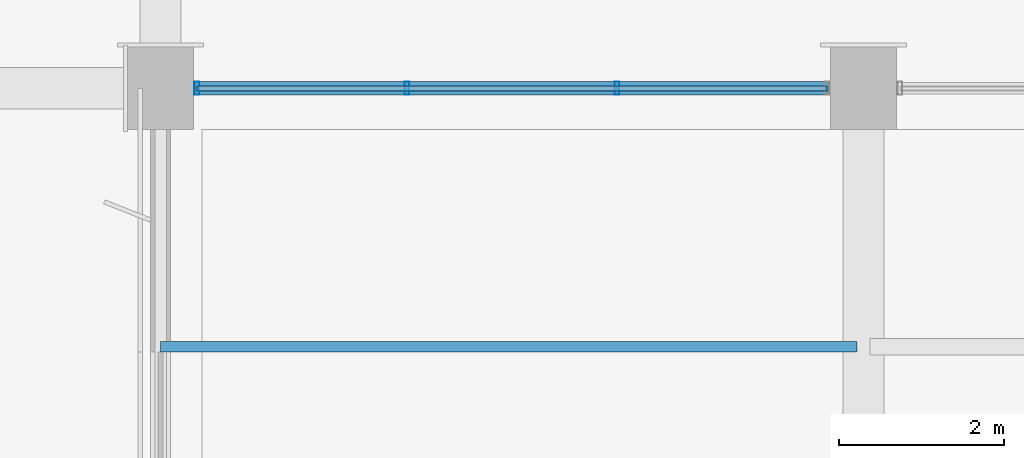
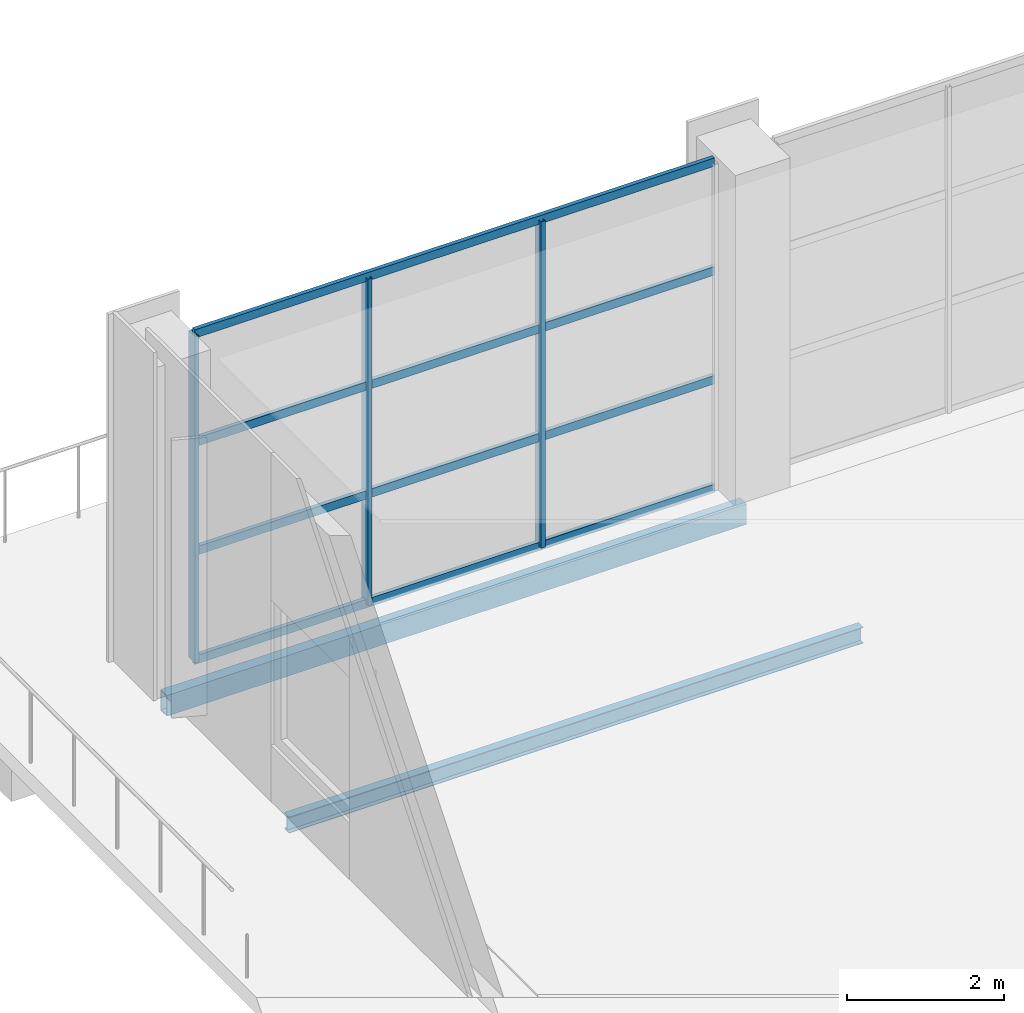
# One storey, part 23 of 90: 7 members, 2 beams, 1 element without a shape of its own.
"""IFC4 building model written with IfcOpenShell, lengths in metres."""

from ifc_helpers import new_model, si_unit, direction, frame, origin, origin_2d, place, context, subcontext, project, spatial, hollow_rectangle, i_section, extrude, material, material_profile, profile_set, type_object, element, aggregate, save


model = new_model("IFC4")

# Units and contexts
model_context = context("Model", 3, precision=1e-05, world=origin(), true_north=direction((0.0, 1.0)))
body_context = subcontext(model_context, "Body", "Model", "MODEL_VIEW")
ifc_project = project(units=[si_unit("LENGTHUNIT", "METRE"), si_unit("AREAUNIT", "SQUARE_METRE"), si_unit("VOLUMEUNIT", "CUBIC_METRE"), si_unit("PLANEANGLEUNIT", "RADIAN"), si_unit("MASSUNIT", "GRAM", prefix="KILO")], contexts=[model_context])

# Site, building, storey
site_placement = place(None, origin())
site = spatial("IfcSite", under=ifc_project, at=site_placement, CompositionType="ELEMENT")
building_placement = place(site_placement, origin())
building = spatial("IfcBuilding", under=site, at=building_placement, Name="Solvikara Media Centre", CompositionType="ELEMENT")
storey_placement = place(building_placement, origin())
storey = spatial("IfcBuildingStorey", under=building, at=storey_placement, Name="L00", CompositionType="ELEMENT", Elevation=0.0)

# Beams
ifc_material_1 = material(Name="Steel S355JR", Category="steel")
ifc_material_profile_1 = material_profile(ifc_material_1, i_section(OverallWidth=0.125, OverallDepth=0.25, WebThickness=0.006103515625, FlangeThickness=0.009033203125, at=origin_2d()), Name="WF 250x125x6x9")
ifc_profile_set_1 = profile_set([ifc_material_profile_1], Name="Steel S355JR")
beam_type_1 = type_object("IfcBeamType", Name="BM-24", PredefinedType="JOIST", material=ifc_profile_set_1)
beam_1_placement = place(storey_placement, frame((0.0, 110.875, -0.467041015625), z_axis=(1.0, 0.0, 0.0), x_axis=(0.0, 1.0, 0.0)))
element("IfcBeam", 1, at=beam_1_placement, inside=storey, type_object=beam_type_1, Name="J-L00-0260", PredefinedType="JOIST", context=body_context, shape_type="SweptSolid", body=[
    extrude(i_section(OverallWidth=0.125, OverallDepth=0.25, WebThickness=0.006103515625, FlangeThickness=0.009033203125, at=origin_2d()), origin(), (0.0, 0.0, 1.0), 8.422119140625),
])
ifc_material_profile_2 = material_profile(ifc_material_1, hollow_rectangle(XDim=0.159912109375, YDim=0.320068359375, WallThickness=0.010009765625, at=origin_2d()), Name="RHS 320x160x10")
ifc_profile_set_2 = profile_set([ifc_material_profile_2], Name="Steel S355JR")
beam_type_2 = type_object("IfcBeamType", Name="BM-45", PredefinedType="SPANDREL", material=ifc_profile_set_2)
beam_2_placement = place(storey_placement, frame((0.0, 114.0, -0.501953125), z_axis=(1.0, 0.0, 0.0), x_axis=(0.0, 1.0, 0.0)))
element("IfcBeam", 2, at=beam_2_placement, inside=storey, type_object=beam_type_2, Name="B-L00-X0103", PredefinedType="SPANDREL", context=body_context, shape_type="SweptSolid", body=[
    extrude(hollow_rectangle(XDim=0.159912109375, YDim=0.320068359375, WallThickness=0.010009765625, at=origin_2d()), origin(), (0.0, 0.0, 1.0), 8.5),
])

# Curtain wall, members
ifc_material_2 = material(Name="Anodised aluminium EN AW-6063", Category="aluminium")
curtain_wall_type = type_object("IfcCurtainWallType", Name="CW-06", PredefinedType="NOTDEFINED", material=ifc_material_2)
curtain_wall_placement = place(storey_placement, origin())
curtain_wall = element("IfcCurtainWall", 3, at=curtain_wall_placement, inside=storey, type_object=curtain_wall_type, Name="CW-L00-V3N-1-S1", PredefinedType="NOTDEFINED")
ifc_material_profile_3 = material_profile(ifc_material_2, hollow_rectangle(XDim=0.06005859375, YDim=0.159912109375, WallThickness=0.00341796875, at=origin_2d()), Name="ALU-M 60x160x3.5")
ifc_profile_set_3 = profile_set([ifc_material_profile_3], Name="Anodised aluminium EN AW-6063")
member_type_1 = type_object("IfcMemberType", Name="MF-04", PredefinedType="MULLION", material=ifc_profile_set_3)
member_1_placement = place(storey_placement, frame((0.43994140625, 114.0, 0.02001953125), z_axis=(0.0, 0.0, 1.0), x_axis=(1.0, 0.0, 0.0)))
member_1 = element("IfcMember", 4, at=member_1_placement, type_object=member_type_1, Name="CW-L00-V3N-1-S1-M00", PredefinedType="MULLION", context=body_context, shape_type="SweptSolid", body=[
    extrude(hollow_rectangle(XDim=0.06005859375, YDim=0.159912109375, WallThickness=0.00341796875, at=origin_2d()), origin(), (0.0, 0.0, 1.0), 5.06005859375),
])
member_2_placement = place(storey_placement, frame((2.97998046875, 114.0, 0.02001953125), z_axis=(0.0, 0.0, 1.0), x_axis=(1.0, 0.0, 0.0)))
member_2 = element("IfcMember", 5, at=member_2_placement, type_object=member_type_1, Name="CW-L00-V3N-1-S1-M01", PredefinedType="MULLION", context=body_context, shape_type="SweptSolid", body=[
    extrude(hollow_rectangle(XDim=0.06005859375, YDim=0.159912109375, WallThickness=0.00341796875, at=origin_2d()), origin(), (0.0, 0.0, 1.0), 5.06005859375),
])
member_3_placement = place(storey_placement, frame((5.52001953125, 114.0, 0.02001953125), z_axis=(0.0, 0.0, 1.0), x_axis=(1.0, 0.0, 0.0)))
member_3 = element("IfcMember", 6, at=member_3_placement, type_object=member_type_1, Name="CW-L00-V3N-1-S1-M02", PredefinedType="MULLION", context=body_context, shape_type="SweptSolid", body=[
    extrude(hollow_rectangle(XDim=0.06005859375, YDim=0.159912109375, WallThickness=0.00341796875, at=origin_2d()), origin(), (0.0, 0.0, 1.0), 5.06005859375),
])
ifc_material_profile_4 = material_profile(ifc_material_2, hollow_rectangle(XDim=0.06005859375, YDim=0.1298828125, WallThickness=0.0029296875, at=origin_2d()), Name="ALU-T 60x130x3")
ifc_profile_set_4 = profile_set([ifc_material_profile_4], Name="Anodised aluminium EN AW-6063")
member_type_2 = type_object("IfcMemberType", Name="MF-10", PredefinedType="USERDEFINED", material=ifc_profile_set_4)
member_4_placement = place(storey_placement, frame((0.43994140625, 114.0, 0.02001953125), z_axis=(1.0, 0.0, 0.0), x_axis=(0.0, 1.0, 0.0)))
member_4 = element("IfcMember", 7, at=member_4_placement, type_object=member_type_2, Name="CW-L00-V3N-1-S1-T00", ObjectType="TRANSOM", PredefinedType="USERDEFINED", context=body_context, shape_type="SweptSolid", body=[
    extrude(hollow_rectangle(XDim=0.06005859375, YDim=0.1298828125, WallThickness=0.0029296875, at=origin_2d()), origin(), (0.0, 0.0, 1.0), 7.6201171875),
])
member_5_placement = place(storey_placement, frame((0.43994140625, 114.0, 1.70703125), z_axis=(1.0, 0.0, 0.0), x_axis=(0.0, 1.0, 0.0)))
member_5 = element("IfcMember", 8, at=member_5_placement, type_object=member_type_2, Name="CW-L00-V3N-1-S1-T01", ObjectType="TRANSOM", PredefinedType="USERDEFINED", context=body_context, shape_type="SweptSolid", body=[
    extrude(hollow_rectangle(XDim=0.06005859375, YDim=0.1298828125, WallThickness=0.0029296875, at=origin_2d()), origin(), (0.0, 0.0, 1.0), 7.6201171875),
])
member_6_placement = place(storey_placement, frame((0.43994140625, 114.0, 3.39306640625), z_axis=(1.0, 0.0, 0.0), x_axis=(0.0, 1.0, 0.0)))
member_6 = element("IfcMember", 9, at=member_6_placement, type_object=member_type_2, Name="CW-L00-V3N-1-S1-T02", ObjectType="TRANSOM", PredefinedType="USERDEFINED", context=body_context, shape_type="SweptSolid", body=[
    extrude(hollow_rectangle(XDim=0.06005859375, YDim=0.1298828125, WallThickness=0.0029296875, at=origin_2d()), origin(), (0.0, 0.0, 1.0), 7.6201171875),
])
member_7_placement = place(storey_placement, frame((0.43994140625, 114.0, 5.080078125), z_axis=(1.0, 0.0, 0.0), x_axis=(0.0, 1.0, 0.0)))
member_7 = element("IfcMember", 10, at=member_7_placement, type_object=member_type_2, Name="CW-L00-V3N-1-S1-T03", ObjectType="TRANSOM", PredefinedType="USERDEFINED", context=body_context, shape_type="SweptSolid", body=[
    extrude(hollow_rectangle(XDim=0.06005859375, YDim=0.1298828125, WallThickness=0.0029296875, at=origin_2d()), origin(), (0.0, 0.0, 1.0), 7.6201171875),
])
aggregate(curtain_wall, [member_1, member_2, member_3, member_4, member_5, member_6, member_7])

save(model, "model.ifc")
